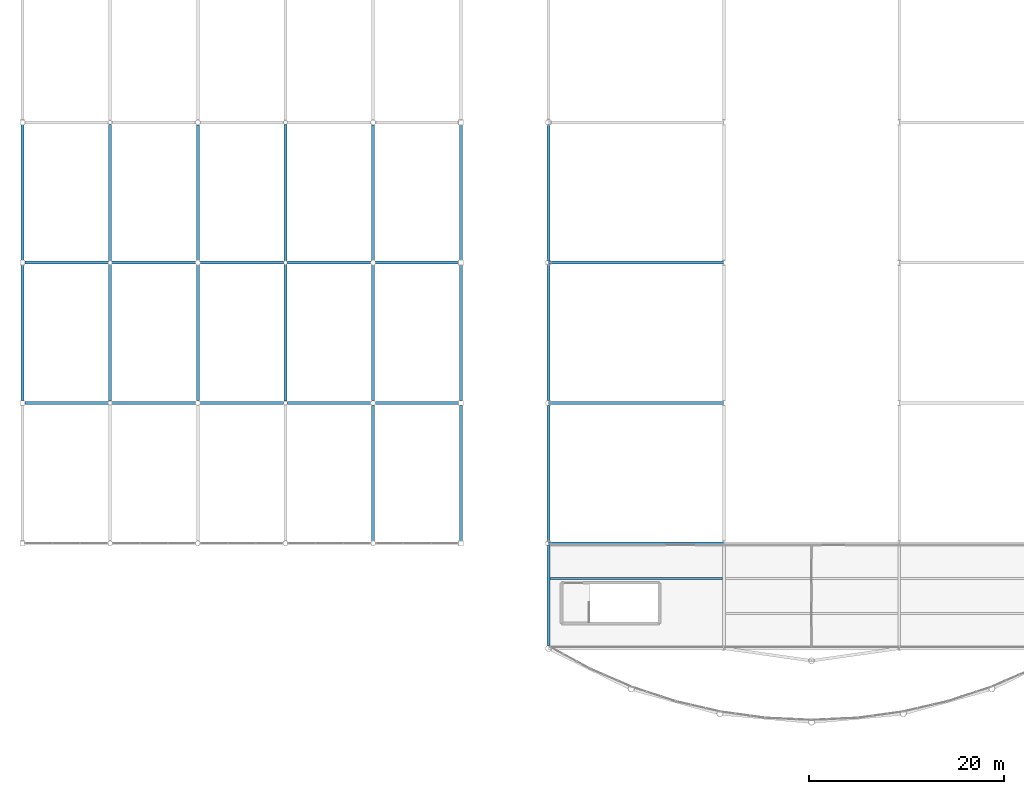
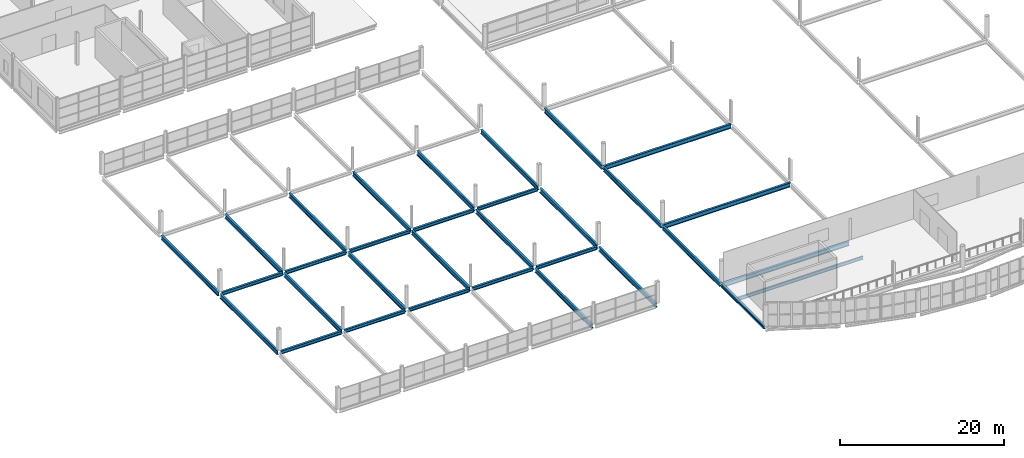
# One storey, part 28 of 134: 32 beams.
"""IFC4 building model written with IfcOpenShell, lengths in metres."""

from ifc_helpers import new_model, si_unit, direction, frame, origin, origin_2d, place, context, subcontext, project, spatial, i_section, extrude, material, material_profile, profile_set, type_object, element, save


model = new_model("IFC4")

# Units and contexts
model_context = context("Model", 3, precision=1e-05, world=origin(), true_north=direction((0.0, 1.0)))
body_context = subcontext(model_context, "Body", "Model", "MODEL_VIEW")
ifc_project = project(units=[si_unit("LENGTHUNIT", "METRE"), si_unit("AREAUNIT", "SQUARE_METRE"), si_unit("VOLUMEUNIT", "CUBIC_METRE"), si_unit("PLANEANGLEUNIT", "RADIAN"), si_unit("MASSUNIT", "GRAM", prefix="KILO")], contexts=[model_context])

# Site, building, storey
site_placement = place(None, origin())
site = spatial("IfcSite", under=ifc_project, at=site_placement, CompositionType="ELEMENT")
building_placement = place(site_placement, origin())
building = spatial("IfcBuilding", under=site, at=building_placement, Name="Tamarisk Ironworks Central Station", CompositionType="ELEMENT")
storey_placement = place(building_placement, frame((0.0, 0.0, 12.60009765625)))
storey = spatial("IfcBuildingStorey", under=building, at=storey_placement, Name="L02", CompositionType="ELEMENT", Elevation=12.60009765625)

# Beams
ifc_material = material(Name="Structural steel S355J2", Category="steel")
ifc_material_profile_1 = material_profile(ifc_material, i_section(OverallWidth=0.199951171875, OverallDepth=0.5, WebThickness=0.01025390625, FlangeThickness=0.01611328125, at=origin_2d()), Name="IPE 500")
ifc_profile_set_1 = profile_set([ifc_material_profile_1], Name="Structural steel S355J2")
beam_type_1 = type_object("IfcBeamType", Name="BM-B02", PredefinedType="BEAM", material=ifc_profile_set_1)
beam_1_placement = place(storey_placement, frame((54.135009765625, 18.0, -0.530029296875), z_axis=(1.0, 0.0, 0.0), x_axis=(0.0, 1.0, 0.0)))
element("IfcBeam", 1, at=beam_1_placement, inside=storey, type_object=beam_type_1, Name="L02 secondary composite beam 0116", PredefinedType="BEAM", context=body_context, shape_type="SweptSolid", body=[
    extrude(i_section(OverallWidth=0.199951171875, OverallDepth=0.5, WebThickness=0.01025390625, FlangeThickness=0.01611328125, at=origin_2d()), origin(), (0.0, 0.0, 1.0), 17.72998046875),
])
ifc_material_profile_2 = material_profile(ifc_material, i_section(OverallWidth=0.300048828125, OverallDepth=0.639892578125, WebThickness=0.013427734375, FlangeThickness=0.02587890625, at=origin_2d()), Name="HEA 650")
ifc_profile_set_2 = profile_set([ifc_material_profile_2], Name="Structural steel S355J2")
beam_type_2 = type_object("IfcBeamType", Name="BM-G02", PredefinedType="BEAM", material=ifc_profile_set_2)
for number, where, z_axis, x_axis, name in (
    (2, (54.00390625, 21.60009765625, -0.60009765625), (1.0, 0.0, 0.0), (0.0, 1.0, 0.0), "L02 primary girder X-0311"),
    (3, (54.00390625, 36.0, -0.60009765625), (1.0, 0.0, 0.0), (0.0, 1.0, 0.0), "L02 primary girder X-0324"),
    (4, (54.00390625, 50.39990234375, -0.60009765625), (1.0, 0.0, 0.0), (0.0, 1.0, 0.0), "L02 primary girder X-0336"),
):
    element("IfcBeam", number, at=place(storey_placement, frame(where, z_axis=z_axis, x_axis=x_axis)), inside=storey, type_object=beam_type_2, Name=name, PredefinedType="BEAM", context=body_context, shape_type="SweptSolid", body=[
        extrude(i_section(OverallWidth=0.300048828125, OverallDepth=0.639892578125, WebThickness=0.013427734375, FlangeThickness=0.02587890625, at=origin_2d()), origin(), (0.0, 0.0, 1.0), 17.9921875),
    ])
for number, where, z_axis, x_axis, name in (
    (5, (0.0, 36.238037109375, -0.570068359375), (0.0, 1.0, 0.0), (-1.0, 0.0, 0.0), "L02 primary girder Y-0417"),
    (6, (0.0, 50.637939453125, -0.570068359375), (0.0, 1.0, 0.0), (-1.0, 0.0, 0.0), "L02 primary girder Y-0418"),
):
    element("IfcBeam", number, at=place(storey_placement, frame(where, z_axis=z_axis, x_axis=x_axis)), inside=storey, type_object=beam_type_2, Name=name, PredefinedType="BEAM", context=body_context, shape_type="SweptSolid", body=[
        extrude(i_section(OverallWidth=0.300048828125, OverallDepth=0.639892578125, WebThickness=0.013427734375, FlangeThickness=0.02587890625, at=origin_2d()), origin(), (0.0, 0.0, 1.0), 13.924072265625),
    ])
for number, where, z_axis, x_axis, name in (
    (7, (9.0, 36.191162109375, -0.570068359375), (0.0, 1.0, 0.0), (-1.0, 0.0, 0.0), "L02 primary girder Y-0424"),
    (8, (9.0, 50.59130859375, -0.570068359375), (0.0, 1.0, 0.0), (-1.0, 0.0, 0.0), "L02 primary girder Y-0425"),
):
    element("IfcBeam", number, at=place(storey_placement, frame(where, z_axis=z_axis, x_axis=x_axis)), inside=storey, type_object=beam_type_2, Name=name, PredefinedType="BEAM", context=body_context, shape_type="SweptSolid", body=[
        extrude(i_section(OverallWidth=0.300048828125, OverallDepth=0.639892578125, WebThickness=0.013427734375, FlangeThickness=0.02587890625, at=origin_2d()), origin(), (0.0, 0.0, 1.0), 14.017578125),
    ])
for number, where, z_axis, x_axis, name in (
    (9, (18.0, 36.241943359375, -0.570068359375), (0.0, 1.0, 0.0), (-1.0, 0.0, 0.0), "L02 primary girder Y-0430"),
    (10, (18.0, 50.64208984375, -0.570068359375), (0.0, 1.0, 0.0), (-1.0, 0.0, 0.0), "L02 primary girder Y-0431"),
):
    element("IfcBeam", number, at=place(storey_placement, frame(where, z_axis=z_axis, x_axis=x_axis)), inside=storey, type_object=beam_type_2, Name=name, PredefinedType="BEAM", context=body_context, shape_type="SweptSolid", body=[
        extrude(i_section(OverallWidth=0.300048828125, OverallDepth=0.639892578125, WebThickness=0.013427734375, FlangeThickness=0.02587890625, at=origin_2d()), origin(), (0.0, 0.0, 1.0), 13.916015625),
    ])
for number, where, z_axis, x_axis, name in (
    (11, (27.0, 36.191162109375, -0.570068359375), (0.0, 1.0, 0.0), (-1.0, 0.0, 0.0), "L02 primary girder Y-0437"),
    (12, (27.0, 50.59130859375, -0.570068359375), (0.0, 1.0, 0.0), (-1.0, 0.0, 0.0), "L02 primary girder Y-0438"),
):
    element("IfcBeam", number, at=place(storey_placement, frame(where, z_axis=z_axis, x_axis=x_axis)), inside=storey, type_object=beam_type_2, Name=name, PredefinedType="BEAM", context=body_context, shape_type="SweptSolid", body=[
        extrude(i_section(OverallWidth=0.300048828125, OverallDepth=0.639892578125, WebThickness=0.013427734375, FlangeThickness=0.02587890625, at=origin_2d()), origin(), (0.0, 0.0, 1.0), 14.017578125),
    ])
for number, where, z_axis, x_axis, name in (
    (13, (36.0, 21.842041015625, -0.570068359375), (0.0, 1.0, 0.0), (-1.0, 0.0, 0.0), "L02 primary girder Y-0442"),
    (14, (36.0, 36.241943359375, -0.570068359375), (0.0, 1.0, 0.0), (-1.0, 0.0, 0.0), "L02 primary girder Y-0443"),
    (15, (36.0, 50.64208984375, -0.570068359375), (0.0, 1.0, 0.0), (-1.0, 0.0, 0.0), "L02 primary girder Y-0444"),
):
    element("IfcBeam", number, at=place(storey_placement, frame(where, z_axis=z_axis, x_axis=x_axis)), inside=storey, type_object=beam_type_2, Name=name, PredefinedType="BEAM", context=body_context, shape_type="SweptSolid", body=[
        extrude(i_section(OverallWidth=0.300048828125, OverallDepth=0.639892578125, WebThickness=0.013427734375, FlangeThickness=0.02587890625, at=origin_2d()), origin(), (0.0, 0.0, 1.0), 13.916015625),
    ])
for number, where, z_axis, x_axis, name in (
    (16, (45.0, 21.837890625, -0.570068359375), (0.0, 1.0, 0.0), (-1.0, 0.0, 0.0), "L02 primary girder Y-0449"),
    (17, (45.0, 36.238037109375, -0.570068359375), (0.0, 1.0, 0.0), (-1.0, 0.0, 0.0), "L02 primary girder Y-0450"),
    (18, (45.0, 50.637939453125, -0.570068359375), (0.0, 1.0, 0.0), (-1.0, 0.0, 0.0), "L02 primary girder Y-0451"),
):
    element("IfcBeam", number, at=place(storey_placement, frame(where, z_axis=z_axis, x_axis=x_axis)), inside=storey, type_object=beam_type_2, Name=name, PredefinedType="BEAM", context=body_context, shape_type="SweptSolid", body=[
        extrude(i_section(OverallWidth=0.300048828125, OverallDepth=0.639892578125, WebThickness=0.013427734375, FlangeThickness=0.02587890625, at=origin_2d()), origin(), (0.0, 0.0, 1.0), 13.924072265625),
    ])
for number, where, z_axis, x_axis, name in (
    (19, (54.0, 21.7958984375, -0.60009765625), (0.0, 1.0, 0.0), (-1.0, 0.0, 0.0), "L02 primary girder Y-0457"),
    (20, (54.0, 36.196044921875, -0.60009765625), (0.0, 1.0, 0.0), (-1.0, 0.0, 0.0), "L02 primary girder Y-0458"),
    (21, (54.0, 50.595947265625, -0.60009765625), (0.0, 1.0, 0.0), (-1.0, 0.0, 0.0), "L02 primary girder Y-0459"),
):
    element("IfcBeam", number, at=place(storey_placement, frame(where, z_axis=z_axis, x_axis=x_axis)), inside=storey, type_object=beam_type_2, Name=name, PredefinedType="BEAM", context=body_context, shape_type="SweptSolid", body=[
        extrude(i_section(OverallWidth=0.300048828125, OverallDepth=0.639892578125, WebThickness=0.013427734375, FlangeThickness=0.02587890625, at=origin_2d()), origin(), (0.0, 0.0, 1.0), 14.008056640625),
    ])
ifc_material_profile_3 = material_profile(ifc_material, i_section(OverallWidth=0.300048828125, OverallDepth=0.489990234375, WebThickness=0.011962890625, FlangeThickness=0.02294921875, at=origin_2d()), Name="HEA 500")
ifc_profile_set_3 = profile_set([ifc_material_profile_3], Name="Structural steel S355J2")
beam_type_3 = type_object("IfcBeamType", Name="BM-G05", PredefinedType="BEAM", material=ifc_profile_set_3)
beam_2_placement = place(storey_placement, frame((0.238037109375, 36.0, -0.4951171875), z_axis=(1.0, 0.0, 0.0), x_axis=(0.0, 1.0, 0.0)))
element("IfcBeam", 22, at=beam_2_placement, inside=storey, type_object=beam_type_3, Name="L02 primary girder X-0319", PredefinedType="BEAM", context=body_context, shape_type="SweptSolid", body=[
    extrude(i_section(OverallWidth=0.300048828125, OverallDepth=0.489990234375, WebThickness=0.011962890625, FlangeThickness=0.02294921875, at=origin_2d()), origin(), (0.0, 0.0, 1.0), 8.57080078125),
])
for number, where, z_axis, x_axis, name in (
    (23, (9.191162109375, 36.0, -0.4951171875), (1.0, 0.0, 0.0), (0.0, 1.0, 0.0), "L02 primary girder X-0320"),
    (24, (18.241943359375, 36.0, -0.4951171875), (1.0, 0.0, 0.0), (0.0, 1.0, 0.0), "L02 primary girder X-0321"),
    (25, (27.191162109375, 36.0, -0.4951171875), (1.0, 0.0, 0.0), (0.0, 1.0, 0.0), "L02 primary girder X-0322"),
):
    element("IfcBeam", number, at=place(storey_placement, frame(where, z_axis=z_axis, x_axis=x_axis)), inside=storey, type_object=beam_type_3, Name=name, PredefinedType="BEAM", context=body_context, shape_type="SweptSolid", body=[
        extrude(i_section(OverallWidth=0.300048828125, OverallDepth=0.489990234375, WebThickness=0.011962890625, FlangeThickness=0.02294921875, at=origin_2d()), origin(), (0.0, 0.0, 1.0), 8.56689453125),
    ])
beam_3_placement = place(storey_placement, frame((36.241943359375, 36.0, -0.4951171875), z_axis=(1.0, 0.0, 0.0), x_axis=(0.0, 1.0, 0.0)))
element("IfcBeam", 26, at=beam_3_placement, inside=storey, type_object=beam_type_3, Name="L02 primary girder X-0323", PredefinedType="BEAM", context=body_context, shape_type="SweptSolid", body=[
    extrude(i_section(OverallWidth=0.300048828125, OverallDepth=0.489990234375, WebThickness=0.011962890625, FlangeThickness=0.02294921875, at=origin_2d()), origin(), (0.0, 0.0, 1.0), 8.52001953125),
])
beam_4_placement = place(storey_placement, frame((0.238037109375, 50.39990234375, -0.4951171875), z_axis=(1.0, 0.0, 0.0), x_axis=(0.0, 1.0, 0.0)))
element("IfcBeam", 27, at=beam_4_placement, inside=storey, type_object=beam_type_3, Name="L02 primary girder X-0331", PredefinedType="BEAM", context=body_context, shape_type="SweptSolid", body=[
    extrude(i_section(OverallWidth=0.300048828125, OverallDepth=0.489990234375, WebThickness=0.011962890625, FlangeThickness=0.02294921875, at=origin_2d()), origin(), (0.0, 0.0, 1.0), 8.57080078125),
])
for number, where, z_axis, x_axis, name in (
    (28, (9.191162109375, 50.39990234375, -0.4951171875), (1.0, 0.0, 0.0), (0.0, 1.0, 0.0), "L02 primary girder X-0332"),
    (29, (18.241943359375, 50.39990234375, -0.4951171875), (1.0, 0.0, 0.0), (0.0, 1.0, 0.0), "L02 primary girder X-0333"),
    (30, (27.191162109375, 50.39990234375, -0.4951171875), (1.0, 0.0, 0.0), (0.0, 1.0, 0.0), "L02 primary girder X-0334"),
):
    element("IfcBeam", number, at=place(storey_placement, frame(where, z_axis=z_axis, x_axis=x_axis)), inside=storey, type_object=beam_type_3, Name=name, PredefinedType="BEAM", context=body_context, shape_type="SweptSolid", body=[
        extrude(i_section(OverallWidth=0.300048828125, OverallDepth=0.489990234375, WebThickness=0.011962890625, FlangeThickness=0.02294921875, at=origin_2d()), origin(), (0.0, 0.0, 1.0), 8.56689453125),
    ])
beam_5_placement = place(storey_placement, frame((36.241943359375, 50.39990234375, -0.4951171875), z_axis=(1.0, 0.0, 0.0), x_axis=(0.0, 1.0, 0.0)))
element("IfcBeam", 31, at=beam_5_placement, inside=storey, type_object=beam_type_3, Name="L02 primary girder X-0335", PredefinedType="BEAM", context=body_context, shape_type="SweptSolid", body=[
    extrude(i_section(OverallWidth=0.300048828125, OverallDepth=0.489990234375, WebThickness=0.011962890625, FlangeThickness=0.02294921875, at=origin_2d()), origin(), (0.0, 0.0, 1.0), 8.52001953125),
])
ifc_material_profile_4 = material_profile(ifc_material, i_section(OverallWidth=0.300048828125, OverallDepth=0.43994140625, WebThickness=0.011474609375, FlangeThickness=0.02099609375, at=origin_2d()), Name="HEA 450")
ifc_profile_set_4 = profile_set([ifc_material_profile_4], Name="Structural steel S355J2")
beam_type_4 = type_object("IfcBeamType", Name="BM-G06", PredefinedType="BEAM", material=ifc_profile_set_4)
beam_6_placement = place(storey_placement, frame((54.0, 11.087890625, -0.5), z_axis=(0.0, 1.0, 0.0), x_axis=(-1.0, 0.0, 0.0)))
element("IfcBeam", 32, at=beam_6_placement, inside=storey, type_object=beam_type_4, Name="L02 primary girder Y-0456", PredefinedType="BEAM", context=body_context, shape_type="SweptSolid", body=[
    extrude(i_section(OverallWidth=0.300048828125, OverallDepth=0.43994140625, WebThickness=0.011474609375, FlangeThickness=0.02099609375, at=origin_2d()), origin(), (0.0, 0.0, 1.0), 10.316162109375),
])

save(model, "model.ifc")
